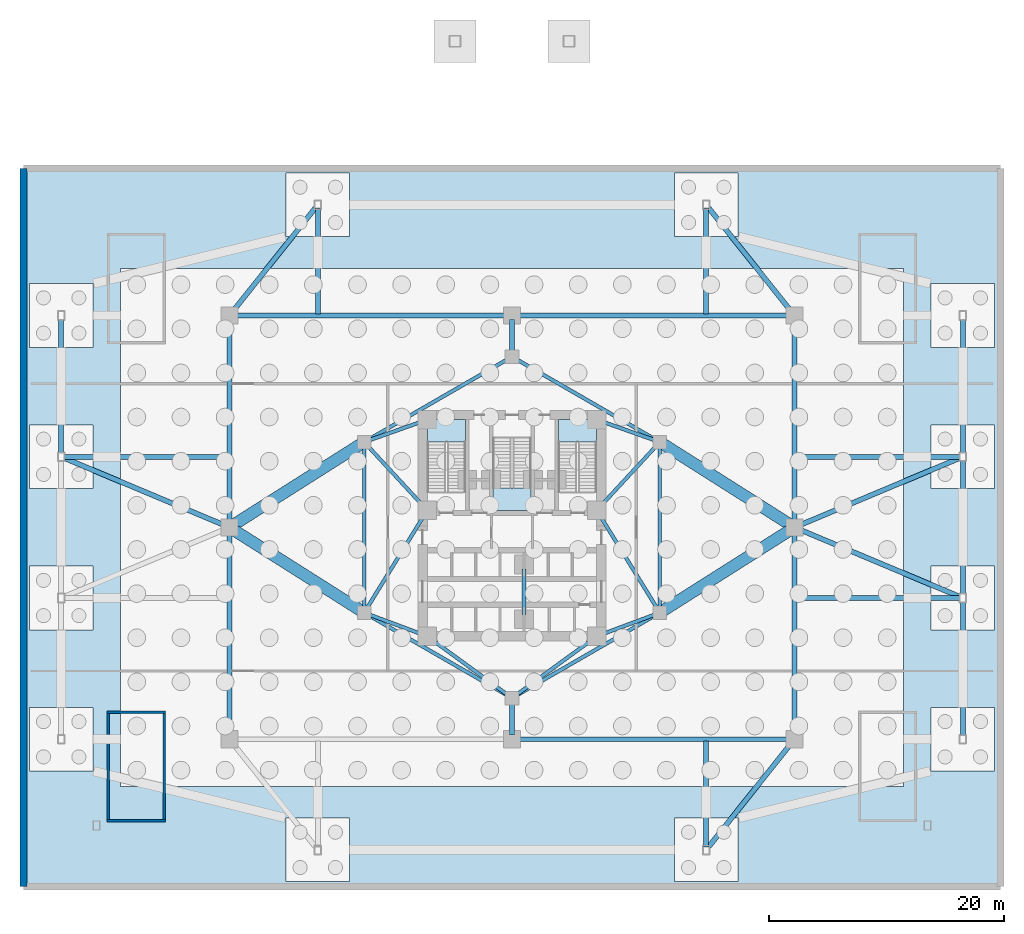
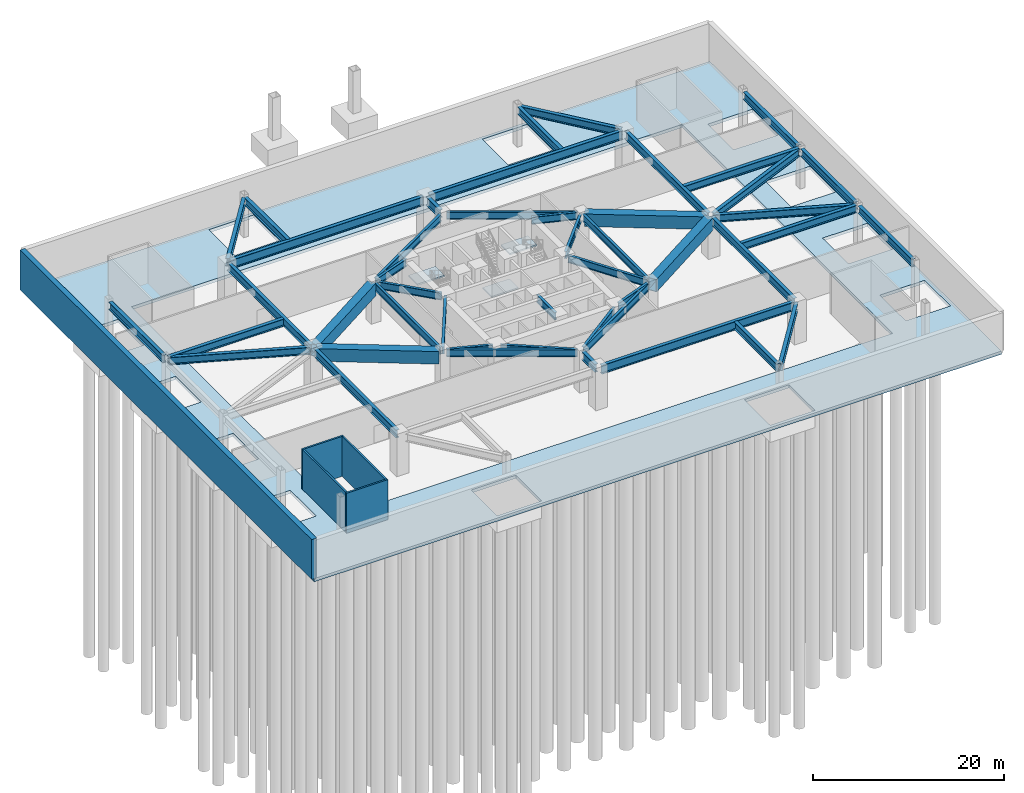
# One storey, part 3 of 8: 46 beams, 5 walls, 4 slabs, 3 elements without a shape of their own.
"""IFC4 building model written with IfcOpenShell, lengths in metres."""

from ifc_helpers import new_model, si_unit, direction, frame, frame_2d, origin, origin_2d, place, context, subcontext, project, spatial, polyline, rectangle, hollow_rectangle, i_section, outline, extrude, material, layer, layer_set, material_profile, profile_set, type_object, element, aggregate, save


model = new_model("IFC4")

# Units and contexts
model_context = context("Model", 3, precision=1e-05, world=origin(), true_north=direction((0.0, 1.0)))
body_context = subcontext(model_context, "Body", "Model", "MODEL_VIEW")
ifc_project = project(units=[si_unit("LENGTHUNIT", "METRE"), si_unit("AREAUNIT", "SQUARE_METRE"), si_unit("VOLUMEUNIT", "CUBIC_METRE"), si_unit("PLANEANGLEUNIT", "RADIAN"), si_unit("MASSUNIT", "GRAM", prefix="KILO")], contexts=[model_context])

# Site, building, storey
site_placement = place(None, origin())
site = spatial("IfcSite", under=ifc_project, at=site_placement, CompositionType="ELEMENT")
building_placement = place(site_placement, origin())
building = spatial("IfcBuilding", under=site, at=building_placement, Name="Apsidion Concourse Tower", CompositionType="ELEMENT")
storey_placement = place(building_placement, frame((0.0, 0.0, -5.39990234375)))
storey = spatial("IfcBuildingStorey", under=building, at=storey_placement, Name="B01", CompositionType="ELEMENT", Elevation=-5.39990234375)

# Beams
ifc_material_1 = material(Name="Structural steel ASTM A992 Grade 50", Category="steel")
ifc_material_profile_1 = material_profile(ifc_material_1, i_section(OverallWidth=0.31005859375, OverallDepth=0.931884765625, WebThickness=0.02099609375, FlangeThickness=0.034423828125, at=origin_2d()), Name="W36X210")
ifc_profile_set_1 = profile_set([ifc_material_profile_1], Name="Structural steel ASTM A992 Grade 50")
beam_type_1 = type_object("IfcBeamType", Name="BM-G-W36", PredefinedType="USERDEFINED", material=ifc_profile_set_1)
beam_1_placement = place(storey_placement, frame((-12.185302734375, -7.389892578125, 4.6337890625), z_axis=(0.936913021145, -0.349562570664, 0.0), x_axis=(0.349562570664, 0.936913021145, 0.0)))
element("IfcBeam", 1, at=beam_1_placement, inside=storey, type_object=beam_type_1, Name="B01 Core Coupling Girder IC1-SC1", ObjectType="GIRDER", PredefinedType="USERDEFINED", context=body_context, shape_type="SweptSolid", body=[
    extrude(i_section(OverallWidth=0.31005859375, OverallDepth=0.931884765625, WebThickness=0.02099609375, FlangeThickness=0.034423828125, at=origin_2d()), origin(), (0.0, 0.0, 1.0), 4.921142578125),
])
beam_2_placement = place(storey_placement, frame((-12.35009765625, -6.909423828125, 4.6337890625), z_axis=(0.524524009763, 0.851395656074, 0.0), x_axis=(-0.851395656074, 0.524524009763, 0.0)))
element("IfcBeam", 2, at=beam_2_placement, inside=storey, type_object=beam_type_1, Name="B01 Core Coupling Girder IC1-SC6", ObjectType="GIRDER", PredefinedType="USERDEFINED", context=body_context, shape_type="SweptSolid", body=[
    extrude(i_section(OverallWidth=0.31005859375, OverallDepth=0.931884765625, WebThickness=0.02099609375, FlangeThickness=0.034423828125, at=origin_2d()), origin(), (0.0, 0.0, 1.0), 9.41845703125),
])
beam_3_placement = place(storey_placement, frame((12.185302734375, -7.389892578125, 4.6337890625), z_axis=(-0.936913021145, -0.349562570664, 0.0), x_axis=(0.349562570664, -0.936913021145, 0.0)))
element("IfcBeam", 3, at=beam_3_placement, inside=storey, type_object=beam_type_1, Name="B01 Core Coupling Girder IC2-SC2", ObjectType="GIRDER", PredefinedType="USERDEFINED", context=body_context, shape_type="SweptSolid", body=[
    extrude(i_section(OverallWidth=0.31005859375, OverallDepth=0.931884765625, WebThickness=0.02099609375, FlangeThickness=0.034423828125, at=origin_2d()), origin(), (0.0, 0.0, 1.0), 4.921142578125),
])
beam_4_placement = place(storey_placement, frame((12.35009765625, -6.909423828125, 4.6337890625), z_axis=(-0.524524009763, 0.851395656074, 0.0), x_axis=(-0.851395656074, -0.524524009763, 0.0)))
element("IfcBeam", 4, at=beam_4_placement, inside=storey, type_object=beam_type_1, Name="B01 Core Coupling Girder IC2-SC3", ObjectType="GIRDER", PredefinedType="USERDEFINED", context=body_context, shape_type="SweptSolid", body=[
    extrude(i_section(OverallWidth=0.31005859375, OverallDepth=0.931884765625, WebThickness=0.02099609375, FlangeThickness=0.034423828125, at=origin_2d()), origin(), (0.0, 0.0, 1.0), 9.41845703125),
])
beam_5_placement = place(storey_placement, frame((12.28857421875, 6.956298828125, 4.6337890625), z_axis=(-0.678712876106, -0.73440372535, 0.0), x_axis=(0.73440372535, -0.678712876106, 0.0)))
element("IfcBeam", 5, at=beam_5_placement, inside=storey, type_object=beam_type_1, Name="B01 Core Coupling Girder IC3-SC3", ObjectType="GIRDER", PredefinedType="USERDEFINED", context=body_context, shape_type="SweptSolid", body=[
    extrude(i_section(OverallWidth=0.31005859375, OverallDepth=0.931884765625, WebThickness=0.02099609375, FlangeThickness=0.034423828125, at=origin_2d()), origin(), (0.0, 0.0, 1.0), 7.097412109375),
])
beam_6_placement = place(storey_placement, frame((12.18310546875, 7.383544921875, 4.6337890625), z_axis=(-0.942533844539, 0.334110688094, 0.0), x_axis=(-0.334110688094, -0.942533844539, 0.0)))
element("IfcBeam", 6, at=beam_6_placement, inside=storey, type_object=beam_type_1, Name="B01 Core Coupling Girder IC3-SC4", ObjectType="GIRDER", PredefinedType="USERDEFINED", context=body_context, shape_type="SweptSolid", body=[
    extrude(i_section(OverallWidth=0.31005859375, OverallDepth=0.931884765625, WebThickness=0.02099609375, FlangeThickness=0.034423828125, at=origin_2d()), origin(), (0.0, 0.0, 1.0), 4.886962890625),
])
beam_7_placement = place(storey_placement, frame((-12.28857421875, 6.956298828125, 4.6337890625), z_axis=(0.678712876106, -0.73440372535, 0.0), x_axis=(0.73440372535, 0.678712876106, 0.0)))
element("IfcBeam", 7, at=beam_7_placement, inside=storey, type_object=beam_type_1, Name="B01 Core Coupling Girder IC5-SC6", ObjectType="GIRDER", PredefinedType="USERDEFINED", context=body_context, shape_type="SweptSolid", body=[
    extrude(i_section(OverallWidth=0.31005859375, OverallDepth=0.931884765625, WebThickness=0.02099609375, FlangeThickness=0.034423828125, at=origin_2d()), origin(), (0.0, 0.0, 1.0), 7.097412109375),
])
beam_8_placement = place(storey_placement, frame((-12.18310546875, 7.383544921875, 4.6337890625), z_axis=(0.942533844539, 0.334110688094, 0.0), x_axis=(-0.334110688094, 0.942533844539, 0.0)))
element("IfcBeam", 8, at=beam_8_placement, inside=storey, type_object=beam_type_1, Name="B01 Core Coupling Girder IC5-SC5", ObjectType="GIRDER", PredefinedType="USERDEFINED", context=body_context, shape_type="SweptSolid", body=[
    extrude(i_section(OverallWidth=0.31005859375, OverallDepth=0.931884765625, WebThickness=0.02099609375, FlangeThickness=0.034423828125, at=origin_2d()), origin(), (0.0, 0.0, 1.0), 4.886962890625),
])
for number, where, z_axis, x_axis, name in (
    (9, (-0.3232421875, -14.264404296875, 4.6337890625), (-0.807993498909, 0.589191399905, 0.0), (-0.589191399905, -0.807993498909, 0.0), "B01 Core Coupling Girder IC6-SC1"),
    (10, (0.3232421875, -14.264404296875, 4.6337890625), (0.807993498909, 0.589191399905, 0.0), (-0.589191399905, 0.807993498909, 0.0), "B01 Core Coupling Girder IC6-SC2"),
):
    element("IfcBeam", number, at=place(storey_placement, frame(where, z_axis=z_axis, x_axis=x_axis)), inside=storey, type_object=beam_type_1, Name=name, ObjectType="GIRDER", PredefinedType="USERDEFINED", context=body_context, shape_type="SweptSolid", body=[
        extrude(i_section(OverallWidth=0.31005859375, OverallDepth=0.931884765625, WebThickness=0.02099609375, FlangeThickness=0.034423828125, at=origin_2d()), origin(), (0.0, 0.0, 1.0), 8.11083984375),
    ])
beam_9_placement = place(storey_placement, frame((-12.56005859375, -6.85009765625, 4.6337890625), z_axis=(0.0, 1.0, 0.0), x_axis=(-1.0, 0.0, 0.0)))
element("IfcBeam", 11, at=beam_9_placement, inside=storey, type_object=beam_type_1, Name="B01 Core Coupling Girder IC1-IC5", ObjectType="GIRDER", PredefinedType="USERDEFINED", context=body_context, shape_type="SweptSolid", body=[
    extrude(i_section(OverallWidth=0.31005859375, OverallDepth=0.931884765625, WebThickness=0.02099609375, FlangeThickness=0.034423828125, at=origin_2d()), origin(), (0.0, 0.0, 1.0), 13.7001953125),
])
for number, where, z_axis, x_axis, name in (
    (12, (-12.213623046875, 7.449951171875, 4.6337890625), (0.866070471464, 0.499921932364, 0.0), (-0.499921932364, 0.866070471464, 0.0), "B01 Core Coupling Girder IC5-IC4"),
    (13, (0.346435546875, 14.300048828125, 4.6337890625), (0.866070471464, -0.499921932364, 0.0), (0.499921932364, 0.866070471464, 0.0), "B01 Core Coupling Girder IC4-IC3"),
):
    element("IfcBeam", number, at=place(storey_placement, frame(where, z_axis=z_axis, x_axis=x_axis)), inside=storey, type_object=beam_type_1, Name=name, ObjectType="GIRDER", PredefinedType="USERDEFINED", context=body_context, shape_type="SweptSolid", body=[
        extrude(i_section(OverallWidth=0.31005859375, OverallDepth=0.931884765625, WebThickness=0.02099609375, FlangeThickness=0.034423828125, at=origin_2d()), origin(), (0.0, 0.0, 1.0), 13.702392578125),
    ])
beam_10_placement = place(storey_placement, frame((12.56005859375, 6.85009765625, 4.6337890625), z_axis=(0.0, -1.0, 0.0), x_axis=(1.0, 0.0, 0.0)))
element("IfcBeam", 14, at=beam_10_placement, inside=storey, type_object=beam_type_1, Name="B01 Core Coupling Girder IC3-IC2", ObjectType="GIRDER", PredefinedType="USERDEFINED", context=body_context, shape_type="SweptSolid", body=[
    extrude(i_section(OverallWidth=0.31005859375, OverallDepth=0.931884765625, WebThickness=0.02099609375, FlangeThickness=0.034423828125, at=origin_2d()), origin(), (0.0, 0.0, 1.0), 13.7001953125),
])
for number, where, z_axis, x_axis, name in (
    (15, (12.213623046875, -7.449951171875, 4.6337890625), (-0.866070471464, -0.499921932364, 0.0), (0.499921932364, -0.866070471464, 0.0), "B01 Core Coupling Girder IC2-IC6"),
    (16, (-0.346435546875, -14.300048828125, 4.6337890625), (-0.866070471464, 0.499921932364, 0.0), (-0.499921932364, -0.866070471464, 0.0), "B01 Core Coupling Girder IC6-IC1"),
):
    element("IfcBeam", number, at=place(storey_placement, frame(where, z_axis=z_axis, x_axis=x_axis)), inside=storey, type_object=beam_type_1, Name=name, ObjectType="GIRDER", PredefinedType="USERDEFINED", context=body_context, shape_type="SweptSolid", body=[
        extrude(i_section(OverallWidth=0.31005859375, OverallDepth=0.931884765625, WebThickness=0.02099609375, FlangeThickness=0.034423828125, at=origin_2d()), origin(), (0.0, 0.0, 1.0), 13.702392578125),
    ])
beam_11_placement = place(storey_placement, frame((1.02490234375, -3.550048828125, 4.6337890625), z_axis=(0.0, -1.0, 0.0), x_axis=(1.0, 0.0, 0.0)))
element("IfcBeam", 17, at=beam_11_placement, inside=storey, type_object=beam_type_1, Name="B01 Core Coupling Girder CC5-CC6", ObjectType="GIRDER", PredefinedType="USERDEFINED", context=body_context, shape_type="SweptSolid", body=[
    extrude(i_section(OverallWidth=0.31005859375, OverallDepth=0.931884765625, WebThickness=0.02099609375, FlangeThickness=0.034423828125, at=origin_2d()), origin(), (0.0, 0.0, 1.0), 3.849853515625),
])
ifc_material_profile_2 = material_profile(ifc_material_1, i_section(OverallWidth=0.423095703125, OverallDepth=0.947998046875, WebThickness=0.02392578125, FlangeThickness=0.042724609375, at=origin_2d()), Name="W36X302")
ifc_profile_set_2 = profile_set([ifc_material_profile_2], Name="Structural steel ASTM A992 Grade 50")
beam_type_2 = type_object("IfcBeamType", Name="BM-G-W36H", PredefinedType="USERDEFINED", material=ifc_profile_set_2)
beam_12_placement = place(storey_placement, frame((-38.050048828125, 6.0, 4.6259765625), z_axis=(1.0, 0.0, 0.0), x_axis=(0.0, 1.0, 0.0)))
element("IfcBeam", 18, at=beam_12_placement, inside=storey, type_object=beam_type_2, Name="B01 Podium Radial Frame Girder PC03", ObjectType="GIRDER", PredefinedType="USERDEFINED", context=body_context, shape_type="SweptSolid", body=[
    extrude(i_section(OverallWidth=0.423095703125, OverallDepth=0.947998046875, WebThickness=0.02392578125, FlangeThickness=0.042724609375, at=origin_2d()), origin(), (0.0, 0.0, 1.0), 13.900146484375),
])
beam_13_placement = place(storey_placement, frame((-37.977294921875, 5.864501953125, 4.6259765625), z_axis=(0.92212437548, -0.386893572118, 0.0), x_axis=(0.386893572118, 0.92212437548, 0.0)))
element("IfcBeam", 19, at=beam_13_placement, inside=storey, type_object=beam_type_2, Name="B01 Podium Diagonal Frame Tie PC03", ObjectType="GIRDER", PredefinedType="USERDEFINED", context=body_context, shape_type="SweptSolid", body=[
    extrude(i_section(OverallWidth=0.423095703125, OverallDepth=0.947998046875, WebThickness=0.02392578125, FlangeThickness=0.042724609375, at=origin_2d()), origin(), (0.0, 0.0, 1.0), 14.8076171875),
])
beam_14_placement = place(storey_placement, frame((38.050048828125, -6.0, 4.6259765625), z_axis=(-1.0, 0.0, 0.0), x_axis=(0.0, -1.0, 0.0)))
element("IfcBeam", 20, at=beam_14_placement, inside=storey, type_object=beam_type_2, Name="B01 Podium Radial Frame Girder PC06", ObjectType="GIRDER", PredefinedType="USERDEFINED", context=body_context, shape_type="SweptSolid", body=[
    extrude(i_section(OverallWidth=0.423095703125, OverallDepth=0.947998046875, WebThickness=0.02392578125, FlangeThickness=0.042724609375, at=origin_2d()), origin(), (0.0, 0.0, 1.0), 13.900146484375),
])
beam_15_placement = place(storey_placement, frame((37.977294921875, -5.864501953125, 4.6259765625), z_axis=(-0.92212437548, 0.386893572118, 0.0), x_axis=(-0.386893572118, -0.92212437548, 0.0)))
element("IfcBeam", 21, at=beam_15_placement, inside=storey, type_object=beam_type_2, Name="B01 Podium Diagonal Frame Tie PC06", ObjectType="GIRDER", PredefinedType="USERDEFINED", context=body_context, shape_type="SweptSolid", body=[
    extrude(i_section(OverallWidth=0.423095703125, OverallDepth=0.947998046875, WebThickness=0.02392578125, FlangeThickness=0.042724609375, at=origin_2d()), origin(), (0.0, 0.0, 1.0), 14.8076171875),
])
beam_16_placement = place(storey_placement, frame((38.050048828125, 6.0, 4.6259765625), z_axis=(-1.0, 0.0, 0.0), x_axis=(0.0, -1.0, 0.0)))
element("IfcBeam", 22, at=beam_16_placement, inside=storey, type_object=beam_type_2, Name="B01 Podium Radial Frame Girder PC07", ObjectType="GIRDER", PredefinedType="USERDEFINED", context=body_context, shape_type="SweptSolid", body=[
    extrude(i_section(OverallWidth=0.423095703125, OverallDepth=0.947998046875, WebThickness=0.02392578125, FlangeThickness=0.042724609375, at=origin_2d()), origin(), (0.0, 0.0, 1.0), 13.900146484375),
])
beam_17_placement = place(storey_placement, frame((37.977294921875, 5.864501953125, 4.6259765625), z_axis=(-0.92212437548, -0.386893572118, 0.0), x_axis=(0.386893572118, -0.92212437548, 0.0)))
element("IfcBeam", 23, at=beam_17_placement, inside=storey, type_object=beam_type_2, Name="B01 Podium Diagonal Frame Tie PC07", ObjectType="GIRDER", PredefinedType="USERDEFINED", context=body_context, shape_type="SweptSolid", body=[
    extrude(i_section(OverallWidth=0.423095703125, OverallDepth=0.947998046875, WebThickness=0.02392578125, FlangeThickness=0.042724609375, at=origin_2d()), origin(), (0.0, 0.0, 1.0), 14.8076171875),
])
beam_18_placement = place(storey_placement, frame((16.5, -27.14990234375, 4.6259765625), z_axis=(0.0, 1.0, 0.0), x_axis=(-1.0, 0.0, 0.0)))
element("IfcBeam", 24, at=beam_18_placement, inside=storey, type_object=beam_type_2, Name="B01 Podium Radial Frame Girder PC10", ObjectType="GIRDER", PredefinedType="USERDEFINED", context=body_context, shape_type="SweptSolid", body=[
    extrude(i_section(OverallWidth=0.423095703125, OverallDepth=0.947998046875, WebThickness=0.02392578125, FlangeThickness=0.042724609375, at=origin_2d()), origin(), (0.0, 0.0, 1.0), 9.0),
])
beam_19_placement = place(storey_placement, frame((16.71826171875, -27.12646484375, 4.6259765625), z_axis=(0.623685030382, 0.781675753031, 0.0), x_axis=(-0.781675753031, 0.623685030382, 0.0)))
element("IfcBeam", 25, at=beam_19_placement, inside=storey, type_object=beam_type_2, Name="B01 Podium Diagonal Frame Tie PC10", ObjectType="GIRDER", PredefinedType="USERDEFINED", context=body_context, shape_type="SweptSolid", body=[
    extrude(i_section(OverallWidth=0.423095703125, OverallDepth=0.947998046875, WebThickness=0.02392578125, FlangeThickness=0.042724609375, at=origin_2d()), origin(), (0.0, 0.0, 1.0), 11.325439453125),
])
beam_20_placement = place(storey_placement, frame((-16.5, 27.14990234375, 4.6259765625), z_axis=(0.0, -1.0, 0.0), x_axis=(1.0, 0.0, 0.0)))
element("IfcBeam", 26, at=beam_20_placement, inside=storey, type_object=beam_type_2, Name="B01 Podium Radial Frame Girder PC11", ObjectType="GIRDER", PredefinedType="USERDEFINED", context=body_context, shape_type="SweptSolid", body=[
    extrude(i_section(OverallWidth=0.423095703125, OverallDepth=0.947998046875, WebThickness=0.02392578125, FlangeThickness=0.042724609375, at=origin_2d()), origin(), (0.0, 0.0, 1.0), 9.0),
])
beam_21_placement = place(storey_placement, frame((-16.71826171875, 27.12646484375, 4.6259765625), z_axis=(-0.623685030382, -0.781675753031, 0.0), x_axis=(0.781675753031, -0.623685030382, 0.0)))
element("IfcBeam", 27, at=beam_21_placement, inside=storey, type_object=beam_type_2, Name="B01 Podium Diagonal Frame Tie PC11", ObjectType="GIRDER", PredefinedType="USERDEFINED", context=body_context, shape_type="SweptSolid", body=[
    extrude(i_section(OverallWidth=0.423095703125, OverallDepth=0.947998046875, WebThickness=0.02392578125, FlangeThickness=0.042724609375, at=origin_2d()), origin(), (0.0, 0.0, 1.0), 11.325439453125),
])
beam_22_placement = place(storey_placement, frame((16.5, 27.14990234375, 4.6259765625), z_axis=(0.0, -1.0, 0.0), x_axis=(1.0, 0.0, 0.0)))
element("IfcBeam", 28, at=beam_22_placement, inside=storey, type_object=beam_type_2, Name="B01 Podium Radial Frame Girder PC12", ObjectType="GIRDER", PredefinedType="USERDEFINED", context=body_context, shape_type="SweptSolid", body=[
    extrude(i_section(OverallWidth=0.423095703125, OverallDepth=0.947998046875, WebThickness=0.02392578125, FlangeThickness=0.042724609375, at=origin_2d()), origin(), (0.0, 0.0, 1.0), 9.0),
])
beam_23_placement = place(storey_placement, frame((16.71826171875, 27.12646484375, 4.6259765625), z_axis=(0.623685030382, -0.781675753031, 0.0), x_axis=(0.781675753031, 0.623685030382, 0.0)))
element("IfcBeam", 29, at=beam_23_placement, inside=storey, type_object=beam_type_2, Name="B01 Podium Diagonal Frame Tie PC12", ObjectType="GIRDER", PredefinedType="USERDEFINED", context=body_context, shape_type="SweptSolid", body=[
    extrude(i_section(OverallWidth=0.423095703125, OverallDepth=0.947998046875, WebThickness=0.02392578125, FlangeThickness=0.042724609375, at=origin_2d()), origin(), (0.0, 0.0, 1.0), 11.325439453125),
])
for number, where, z_axis, x_axis, name in (
    (30, (-38.300048828125, 6.35009765625, 4.6259765625), (0.0, 1.0, 0.0), (-1.0, 0.0, 0.0), "B01 Podium Spandrel Girder PC03-PC04"),
    (31, (38.300048828125, -17.64990234375, 4.6259765625), (0.0, 1.0, 0.0), (-1.0, 0.0, 0.0), "B01 Podium Spandrel Girder PC05-PC06"),
    (32, (38.300048828125, -5.64990234375, 4.6259765625), (0.0, 1.0, 0.0), (-1.0, 0.0, 0.0), "B01 Podium Spandrel Girder PC06-PC07"),
    (33, (38.300048828125, 6.35009765625, 4.6259765625), (0.0, 1.0, 0.0), (-1.0, 0.0, 0.0), "B01 Podium Spandrel Girder PC07-PC08"),
):
    element("IfcBeam", number, at=place(storey_placement, frame(where, z_axis=z_axis, x_axis=x_axis)), inside=storey, type_object=beam_type_2, Name=name, ObjectType="GIRDER", PredefinedType="USERDEFINED", context=body_context, shape_type="SweptSolid", body=[
        extrude(i_section(OverallWidth=0.423095703125, OverallDepth=0.947998046875, WebThickness=0.02392578125, FlangeThickness=0.042724609375, at=origin_2d()), origin(), (0.0, 0.0, 1.0), 11.2998046875),
    ])
ifc_material_profile_3 = material_profile(ifc_material_1, i_section(OverallWidth=0.402099609375, OverallDepth=1.008056640625, WebThickness=0.02099609375, FlangeThickness=0.0400390625, at=origin_2d()), Name="W40X277")
ifc_profile_set_3 = profile_set([ifc_material_profile_3], Name="Structural steel ASTM A992 Grade 50")
beam_type_3 = type_object("IfcBeamType", Name="BM-G-W40", PredefinedType="USERDEFINED", material=ifc_profile_set_3)
for number, where, z_axis, x_axis, name in (
    (34, (-24.0, -17.64990234375, 4.595947265625), (0.0, 1.0, 0.0), (-1.0, 0.0, 0.0), "B01 Podium Girder MC1-MC3"),
    (35, (-24.0, 0.35009765625, 4.595947265625), (0.0, 1.0, 0.0), (-1.0, 0.0, 0.0), "B01 Podium Girder MC3-MC5"),
    (36, (24.0, -17.64990234375, 4.595947265625), (0.0, 1.0, 0.0), (-1.0, 0.0, 0.0), "B01 Podium Girder MC2-MC4"),
    (37, (24.0, 0.35009765625, 4.595947265625), (0.0, 1.0, 0.0), (-1.0, 0.0, 0.0), "B01 Podium Girder MC4-MC6"),
):
    element("IfcBeam", number, at=place(storey_placement, frame(where, z_axis=z_axis, x_axis=x_axis)), inside=storey, type_object=beam_type_3, Name=name, ObjectType="GIRDER", PredefinedType="USERDEFINED", context=body_context, shape_type="SweptSolid", body=[
        extrude(i_section(OverallWidth=0.402099609375, OverallDepth=1.008056640625, WebThickness=0.02099609375, FlangeThickness=0.0400390625, at=origin_2d()), origin(), (0.0, 0.0, 1.0), 17.2998046875),
    ])
ifc_material_profile_4 = material_profile(ifc_material_1, i_section(OverallWidth=0.408935546875, OverallDepth=1.041015625, WebThickness=0.031005859375, FlangeThickness=0.055908203125, at=origin_2d()), Name="W40X397")
ifc_profile_set_4 = profile_set([ifc_material_profile_4], Name="Structural steel ASTM A992 Grade 50")
beam_type_4 = type_object("IfcBeamType", Name="BM-G-W40H", PredefinedType="USERDEFINED", material=ifc_profile_set_4)
for number, where, z_axis, x_axis, name in (
    (38, (0.0, -17.64990234375, 4.579345703125), (0.0, 1.0, 0.0), (-1.0, 0.0, 0.0), "B01 Podium Girder MC7-IC6"),
    (39, (0.0, 17.64990234375, 4.579345703125), (0.0, -1.0, 0.0), (1.0, 0.0, 0.0), "B01 Podium Girder MC8-IC4"),
):
    element("IfcBeam", number, at=place(storey_placement, frame(where, z_axis=z_axis, x_axis=x_axis)), inside=storey, type_object=beam_type_4, Name=name, ObjectType="GIRDER", PredefinedType="USERDEFINED", context=body_context, shape_type="SweptSolid", body=[
        extrude(i_section(OverallWidth=0.408935546875, OverallDepth=1.041015625, WebThickness=0.031005859375, FlangeThickness=0.055908203125, at=origin_2d()), origin(), (0.0, 0.0, 1.0), 2.7998046875),
    ])
ifc_material_profile_5 = material_profile(ifc_material_1, i_section(OverallWidth=0.405029296875, OverallDepth=1.117919921875, WebThickness=0.026123046875, FlangeThickness=0.044921875, at=origin_2d()), Name="W44X335")
ifc_profile_set_5 = profile_set([ifc_material_profile_5], Name="Structural steel ASTM A992 Grade 50")
beam_type_5 = type_object("IfcBeamType", Name="BM-G-W44", PredefinedType="USERDEFINED", material=ifc_profile_set_5)
for number, where, z_axis, x_axis, name in (
    (40, (0.35009765625, -18.0, 4.541015625), (1.0, 0.0, 0.0), (0.0, 1.0, 0.0), "B01 Podium Girder MC7-MC2"),
    (41, (-23.64990234375, 18.0, 4.541015625), (1.0, 0.0, 0.0), (0.0, 1.0, 0.0), "B01 Podium Girder MC5-MC8"),
    (42, (0.35009765625, 18.0, 4.541015625), (1.0, 0.0, 0.0), (0.0, 1.0, 0.0), "B01 Podium Girder MC8-MC6"),
):
    element("IfcBeam", number, at=place(storey_placement, frame(where, z_axis=z_axis, x_axis=x_axis)), inside=storey, type_object=beam_type_5, Name=name, ObjectType="GIRDER", PredefinedType="USERDEFINED", context=body_context, shape_type="SweptSolid", body=[
        extrude(i_section(OverallWidth=0.405029296875, OverallDepth=1.117919921875, WebThickness=0.026123046875, FlangeThickness=0.044921875, at=origin_2d()), origin(), (0.0, 0.0, 1.0), 23.2998046875),
    ])
ifc_material_2 = material(Name="Structural steel ASTM A572 Grade 50", Category="steel")
ifc_material_profile_6 = material_profile(ifc_material_2, hollow_rectangle(XDim=1.0, YDim=1.60009765625, WallThickness=0.074951171875, at=origin_2d()), Name="BOX1600X1000X75")
ifc_profile_set_6 = profile_set([ifc_material_profile_6], Name="Structural steel ASTM A572 Grade 50")
beam_type_6 = type_object("IfcBeamType", Name="BM-TR-1600", PredefinedType="USERDEFINED", material=ifc_profile_set_6)
for number, where, z_axis, x_axis, name in (
    (43, (-23.704345703125, -0.1875, 4.2998046875), (0.844671254714, -0.535285411215, 0.0), (0.535285411215, 0.844671254714, 0.0), "B01 Podium Girder MC3-IC1"),
    (44, (-23.704345703125, 0.1875, 4.2998046875), (0.844671254714, 0.535285411215, 0.0), (-0.535285411215, 0.844671254714, 0.0), "B01 Podium Girder MC3-IC5"),
    (45, (23.704345703125, -0.1875, 4.2998046875), (-0.844671254714, -0.535285411215, 0.0), (0.535285411215, -0.844671254714, 0.0), "B01 Podium Girder MC4-IC2"),
    (46, (23.704345703125, 0.1875, 4.2998046875), (-0.844671254714, 0.535285411215, 0.0), (-0.535285411215, -0.844671254714, 0.0), "B01 Podium Girder MC4-IC3"),
):
    element("IfcBeam", number, at=place(storey_placement, frame(where, z_axis=z_axis, x_axis=x_axis)), inside=storey, type_object=beam_type_6, Name=name, ObjectType="GIRDER", PredefinedType="USERDEFINED", context=body_context, shape_type="SweptSolid", body=[
        extrude(hollow_rectangle(XDim=1.0, YDim=1.60009765625, WallThickness=0.074951171875, at=origin_2d()), origin(), (0.0, 0.0, 1.0), 12.843505859375),
    ])

# Slab
ifc_material_3 = material(Name="Concrete C50/60", Category="concrete")
ifc_layer_1 = layer(ifc_material_3, 0.39990234375)
ifc_layer_set_1 = layer_set([ifc_layer_1], Name="Concrete C50/60")
slab_type_1 = type_object("IfcSlabType", Name="SL-BASE-400", PredefinedType="BASESLAB", material=ifc_layer_set_1)
slab_1_placement = place(storey_placement, frame((0.0, 0.0, -0.400146484375)))
element("IfcSlab", 47, at=slab_1_placement, inside=storey, type_object=slab_type_1, Name="Basement Waterproofed Base Slab SL-B01", PredefinedType="BASESLAB", context=body_context, shape_type="SweptSolid", body=[
    extrude(outline(polyline([(-41.5, -30.5), (41.5, -30.5), (41.5, 30.5), (-41.5, 30.5), (-41.5, -30.5)]), holes=[polyline([(-33.25, -22.0), (33.25, -22.0), (33.25, 22.0), (-33.25, 22.0), (-33.25, -22.0)]), polyline([(-41.0, -20.699951171875), (-35.60009765625, -20.699951171875), (-35.60009765625, -15.300048828125), (-41.0, -15.300048828125), (-41.0, -20.699951171875)]), polyline([(-41.0, -8.699951171875), (-35.60009765625, -8.699951171875), (-35.60009765625, -3.300048828125), (-41.0, -3.300048828125), (-41.0, -8.699951171875)]), polyline([(-41.0, 3.300048828125), (-35.60009765625, 3.300048828125), (-35.60009765625, 8.699951171875), (-41.0, 8.699951171875), (-41.0, 3.300048828125)]), polyline([(-41.0, 15.300048828125), (-35.60009765625, 15.300048828125), (-35.60009765625, 20.699951171875), (-41.0, 20.699951171875), (-41.0, 15.300048828125)]), polyline([(35.60009765625, -20.699951171875), (41.0, -20.699951171875), (41.0, -15.300048828125), (35.60009765625, -15.300048828125), (35.60009765625, -20.699951171875)]), polyline([(35.60009765625, -8.699951171875), (41.0, -8.699951171875), (41.0, -3.300048828125), (35.60009765625, -3.300048828125), (35.60009765625, -8.699951171875)]), polyline([(35.60009765625, 3.300048828125), (41.0, 3.300048828125), (41.0, 8.699951171875), (35.60009765625, 8.699951171875), (35.60009765625, 3.300048828125)]), polyline([(35.60009765625, 15.300048828125), (41.0, 15.300048828125), (41.0, 20.699951171875), (35.60009765625, 20.699951171875), (35.60009765625, 15.300048828125)]), polyline([(-19.199951171875, -30.10009765625), (-13.800048828125, -30.10009765625), (-13.800048828125, -24.699951171875), (-19.199951171875, -24.699951171875), (-19.199951171875, -30.10009765625)]), polyline([(13.800048828125, -30.10009765625), (19.199951171875, -30.10009765625), (19.199951171875, -24.699951171875), (13.800048828125, -24.699951171875), (13.800048828125, -30.10009765625)]), polyline([(-19.199951171875, 24.699951171875), (-13.800048828125, 24.699951171875), (-13.800048828125, 30.10009765625), (-19.199951171875, 30.10009765625), (-19.199951171875, 24.699951171875)]), polyline([(13.800048828125, 24.699951171875), (19.199951171875, 24.699951171875), (19.199951171875, 30.10009765625), (13.800048828125, 30.10009765625), (13.800048828125, 24.699951171875)])]), origin(), (0.0, 0.0, 1.0), 0.400146484375),
])

# Stair, slab
ifc_material_4 = material(Name="Precast concrete C40/50", Category="concrete")
stair_type = type_object("IfcStairType", Name="ST-DL-1550", PredefinedType="HALF_TURN_STAIR", material=ifc_material_4)
stair_1_placement = place(storey_placement, origin())
stair_1 = element("IfcStair", 48, at=stair_1_placement, inside=storey, type_object=stair_type, Name="B01 Protected Core Exit Stair ST1", PredefinedType="HALF_TURN_STAIR")
ifc_layer_2 = layer(ifc_material_3, 0.199951171875)
ifc_layer_set_2 = layer_set([ifc_layer_2], Name="Concrete C50/60")
slab_type_2 = type_object("IfcSlabType", Name="SL-ST-LAND-200", PredefinedType="LANDING", material=ifc_layer_set_2)
slab_2_placement = place(storey_placement, frame((0.0, 0.0, 2.5)))
slab_2 = element("IfcSlab", 49, at=slab_2_placement, type_object=slab_type_2, Name="ST1 landing 1", PredefinedType="LANDING", context=body_context, shape_type="SweptSolid", body=[
    extrude(outline(polyline([(-3.949951171875, 7.27490234375), (-3.949951171875, 9.14990234375), (-7.199951171875, 9.14990234375), (-7.199951171875, 7.27490234375), (-3.949951171875, 7.27490234375)])), origin(), (0.0, 0.0, 1.0), 0.199951171875),
])
aggregate(stair_1, [slab_2])

stair_2_placement = place(storey_placement, origin())
stair_2 = element("IfcStair", 50, at=stair_2_placement, inside=storey, type_object=stair_type, Name="B01 Protected Core Exit Stair ST2", PredefinedType="HALF_TURN_STAIR")
slab_3_placement = place(storey_placement, frame((0.0, 0.0, 2.5)))
slab_3 = element("IfcSlab", 51, at=slab_3_placement, type_object=slab_type_2, Name="ST2 landing 1", PredefinedType="LANDING", context=body_context, shape_type="SweptSolid", body=[
    extrude(outline(polyline([(7.199951171875, 7.27490234375), (7.199951171875, 9.14990234375), (3.949951171875, 9.14990234375), (3.949951171875, 7.27490234375), (7.199951171875, 7.27490234375)])), origin(), (0.0, 0.0, 1.0), 0.199951171875),
])
aggregate(stair_2, [slab_3])

stair_3_placement = place(storey_placement, origin())
stair_3 = element("IfcStair", 52, at=stair_3_placement, inside=storey, type_object=stair_type, Name="B01 Protected Core Exit Stair ST3", PredefinedType="HALF_TURN_STAIR")
slab_4_placement = place(storey_placement, frame((0.0, 0.0, 2.5)))
slab_4 = element("IfcSlab", 53, at=slab_4_placement, type_object=slab_type_2, Name="ST3 landing 1", PredefinedType="LANDING", context=body_context, shape_type="SweptSolid", body=[
    extrude(outline(polyline([(-1.625, 3.324951171875), (-1.625, 1.449951171875), (1.625, 1.449951171875), (1.625, 3.324951171875), (-1.625, 3.324951171875)])), origin(), (0.0, 0.0, 1.0), 0.199951171875),
])
aggregate(stair_3, [slab_4])

# Walls
ifc_layer_3 = layer(ifc_material_3, 0.60009765625)
ifc_layer_set_3 = layer_set([ifc_layer_3], Name="Concrete C50/60")
wall_type_1 = type_object("IfcWallType", Name="WL-RET-600", PredefinedType="SHEAR", material=ifc_layer_set_3)
wall_placement = place(storey_placement, frame((-41.5, 30.5, 0.0), z_axis=(0.0, 0.0, 1.0), x_axis=(0.0, -1.0, 0.0)))
element("IfcWall", 54, at=wall_placement, inside=storey, type_object=wall_type_1, Name="B01 Perimeter Retaining Wall W", PredefinedType="SHEAR", context=body_context, shape_type="SweptSolid", body=[
    extrude(rectangle(XDim=61.0, YDim=0.60009765625, at=frame_2d((30.5, 0.0))), origin(), (0.0, 0.0, 1.0), 5.099853515625),
])
ifc_layer_4 = layer(ifc_material_3, 0.219970703125)
ifc_layer_set_4 = layer_set([ifc_layer_4], Name="Concrete C50/60")
wall_type_2 = type_object("IfcWallType", Name="WL-SH-220", PredefinedType="SHEAR", material=ifc_layer_set_4)
for number, where, z_axis, x_axis, name in (
    (55, (-34.419921875, -24.909912109375, 0.0), (0.0, 0.0, 1.0), (1.0, 0.0, 0.0), "B01 Podium Stair ST-P1 Core Shear Wall S"),
    (56, (-34.419921875, -15.68994140625, 0.0), (0.0, 0.0, 1.0), (1.0, 0.0, 0.0), "B01 Podium Stair ST-P1 Core Shear Wall N"),
):
    element("IfcWall", number, at=place(storey_placement, frame(where, z_axis=z_axis, x_axis=x_axis)), inside=storey, type_object=wall_type_2, Name=name, PredefinedType="SHEAR", context=body_context, shape_type="SweptSolid", body=[
        extrude(rectangle(XDim=4.989990234375, YDim=0.219970703125, at=frame_2d((2.4951171875, 0.0))), origin(), (0.0, 0.0, 1.0), 5.099853515625),
    ])
for number, where, z_axis, x_axis, name in (
    (57, (-34.31005859375, -24.800048828125, 0.0), (0.0, 0.0, 1.0), (0.0, 1.0, 0.0), "B01 Podium Stair ST-P1 Core Shear Wall W"),
    (58, (-29.5400390625, -24.800048828125, 0.0), (0.0, 0.0, 1.0), (0.0, 1.0, 0.0), "B01 Podium Stair ST-P1 Core Shear Wall E"),
):
    element("IfcWall", number, at=place(storey_placement, frame(where, z_axis=z_axis, x_axis=x_axis)), inside=storey, type_object=wall_type_2, Name=name, PredefinedType="SHEAR", context=body_context, shape_type="SweptSolid", body=[
        extrude(rectangle(XDim=9.0, YDim=0.219970703125, at=frame_2d((4.5, 0.0))), origin(), (0.0, 0.0, 1.0), 5.099853515625),
    ])

save(model, "model.ifc")
